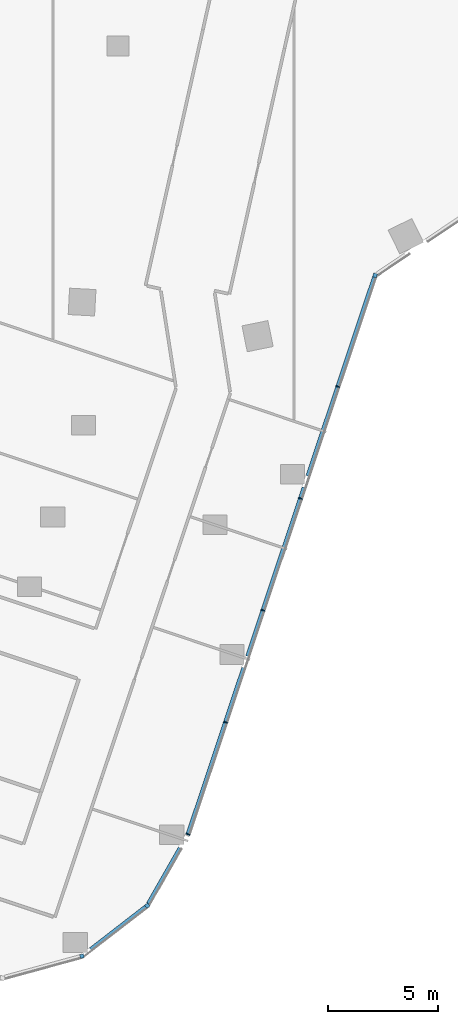
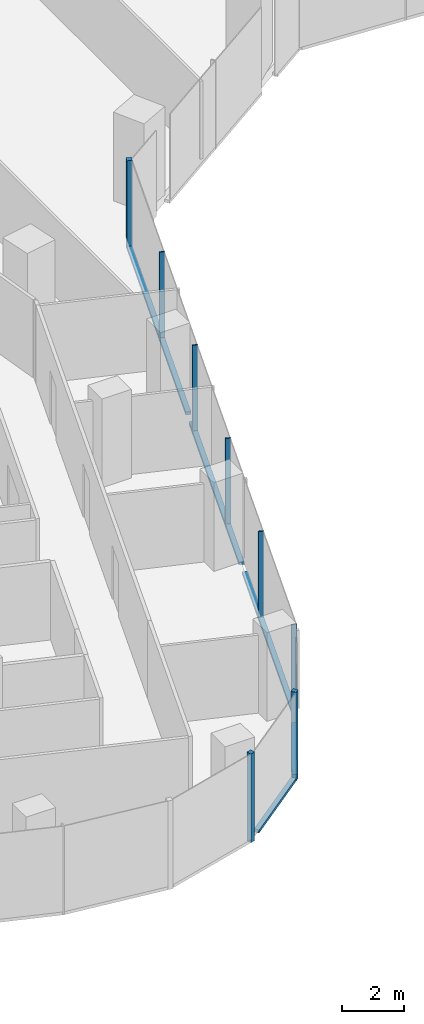
# One storey, part 5 of 26: 13 members, 4 elements without a shape of their own.
"""IFC4 building model written with IfcOpenShell, lengths in metres."""

import ifcopenshell
import ifcopenshell.guid

model = None  # the IFC model being written
_history = None  # IfcOwnerHistory: only IFC2X3 demands one
_inside = {}  # id of a spatial element -> (the spatial element, [elements in it])
_under = {}  # id of a project, library or spatial element -> (it, [spatial elements below it])
_declared = {}  # id of a project -> (the project, [libraries it declares])
_typed = {}  # id of a type object -> (the type object, [elements of that type])
_made_of = {}  # id of a material, layer set ... -> (it, [elements and type objects made of it])


def new_model(schema):
    """Start an empty IFC model of exactly this schema.

    Asked for "IFC4X3", IfcOpenShell would pick the latest addendum, in which some entities
    have other attributes; the version numbers below select the first issue.
    IFC2X3 requires an IfcOwnerHistory on every rooted entity: one is made here for all.
    """
    global model, _history
    if schema == "IFC4X3":
        model = ifcopenshell.file(schema_version=(4, 3, 0, 0))
    else:
        model = ifcopenshell.file(schema=schema)
    _inside.clear()
    _under.clear()
    _declared.clear()
    _typed.clear()
    _made_of.clear()
    _history = None
    if model.schema == "IFC2X3":
        org = make("IfcOrganization", Name="unknown")
        user = make(
            "IfcPersonAndOrganization",
            ThePerson=make("IfcPerson", FamilyName="unknown"),
            TheOrganization=org,
        )
        app = make(
            "IfcApplication",
            ApplicationDeveloper=org,
            Version="unknown",
            ApplicationFullName="unknown",
            ApplicationIdentifier="unknown",
        )
        _history = make(
            "IfcOwnerHistory",
            OwningUser=user,
            OwningApplication=app,
            ChangeAction="ADDED",
            CreationDate=0,
        )
    return model


def make(cls, **values):
    """One entity of the class cls with the attributes given. An attribute that is None is left unset."""
    return model.create_entity(
        cls, **{name: value for name, value in values.items() if value is not None}
    )


def rooted(cls, **values):
    """An entity with a GlobalId (a new one), such as an element, a storey or a relation."""
    return make(cls, GlobalId=ifcopenshell.guid.new(), OwnerHistory=_history, **values)


def si_unit(unit_type, name, prefix=None):
    """IfcSIUnit, for example si_unit("LENGTHUNIT", "METRE", prefix="MILLI")."""
    return make("IfcSIUnit", UnitType=unit_type, Prefix=prefix, Name=name)


def assignment(units):
    """IfcUnitAssignment: the units of a project."""
    return None if units is None else make("IfcUnitAssignment", Units=units)


def point(xyz):
    """IfcCartesianPoint."""
    return None if xyz is None else make("IfcCartesianPoint", Coordinates=xyz)


def direction(xyz):
    """IfcDirection."""
    return None if xyz is None else make("IfcDirection", DirectionRatios=xyz)


def frame(location, z_axis=None, x_axis=None):
    """IfcAxis2Placement3D, a coordinate frame: its origin and axes. An axis left out is left unset."""
    return make(
        "IfcAxis2Placement3D",
        Location=point(location),
        Axis=direction(z_axis),
        RefDirection=direction(x_axis),
    )


def frame_2d(location, x_axis=None):
    """IfcAxis2Placement2D, a coordinate frame in the plane: its origin and x axis."""
    return make(
        "IfcAxis2Placement2D", Location=point(location), RefDirection=direction(x_axis)
    )


def origin():
    """The frame at (0, 0, 0) with its axes left unset."""
    return frame((0.0, 0.0, 0.0))


def origin_2d():
    """The frame at (0, 0) in the plane with its x axis left unset."""
    return frame_2d((0.0, 0.0))


def place(relative_to, where):
    """IfcLocalPlacement: puts the frame where relative to a parent placement (None: the world)."""
    return make(
        "IfcLocalPlacement", PlacementRelTo=relative_to, RelativePlacement=where
    )


def context(
    kind, dimensions, precision=None, world=None, true_north=None, identifier=None
):
    """IfcGeometricRepresentationContext, for example the 3D "Model" context."""
    return make(
        "IfcGeometricRepresentationContext",
        ContextIdentifier=identifier,
        ContextType=kind,
        CoordinateSpaceDimension=dimensions,
        Precision=precision,
        WorldCoordinateSystem=world,
        TrueNorth=true_north,
    )


def subcontext(parent, identifier, kind, view, scale=None):
    """IfcGeometricRepresentationSubContext, for example "Body" below "Model"."""
    return make(
        "IfcGeometricRepresentationSubContext",
        ContextIdentifier=identifier,
        ContextType=kind,
        ParentContext=parent,
        TargetScale=scale,
        TargetView=view,
    )


def project(units=None, contexts=None):
    """IfcProject with its units and contexts."""
    return rooted(
        "IfcProject",
        Name="project",
        RepresentationContexts=contexts,
        UnitsInContext=assignment(units),
    )


def spatial(cls, under=None, at=None, **own):
    """A site, building, storey or space (cls), placed at a placement, below another one or the project."""
    s = rooted(cls, ObjectPlacement=at, **own)
    if under is not None:
        _under.setdefault(under.id(), (under, []))[1].append(s)
    return s


def profile(cls, at=None, kind="AREA", **sizes):
    """A parametric profile (cls). Its sizes go by their IFC names, for example OverallWidth=200.0."""
    return make(cls, ProfileType=kind, Position=at, **sizes)


def rectangle(**sizes):
    """IfcRectangleProfileDef."""
    return profile("IfcRectangleProfileDef", **sizes)


def extrude(swept, where, along, depth):
    """IfcExtrudedAreaSolid: the profile swept, set in the frame where, extruded along a direction by depth."""
    return make(
        "IfcExtrudedAreaSolid",
        SweptArea=swept,
        Position=where,
        ExtrudedDirection=direction(along),
        Depth=depth,
    )


def shape(context_of_items, identifier, shape_type, items):
    """IfcShapeRepresentation: the items that make up one representation, for example the "Body"."""
    return make(
        "IfcShapeRepresentation",
        ContextOfItems=context_of_items,
        RepresentationIdentifier=identifier,
        RepresentationType=shape_type,
        Items=items,
    )


def material(Name=None, Category=None):
    """IfcMaterial."""
    return make("IfcMaterial", Name=Name, Category=Category)


def material_profile(
    of_material, cross_section, Name=None, Category=None, Priority=None
):
    """IfcMaterialProfile: a cross section and its material."""
    return make(
        "IfcMaterialProfile",
        Name=Name,
        Material=of_material,
        Profile=cross_section,
        Priority=Priority,
        Category=Category,
    )


def profile_set(profiles, Name=None, composite=None):
    """IfcMaterialProfileSet."""
    return make(
        "IfcMaterialProfileSet",
        Name=Name,
        MaterialProfiles=profiles,
        CompositeProfile=composite,
    )


def made_of(thing, what):
    """Note that an element or type object is made of a material, layer set ...; save() writes the relation."""
    if what is not None:
        _made_of.setdefault(what.id(), (what, []))[1].append(thing)
    return thing


def type_object(cls, material=None, **own):
    """A type object (cls), such as IfcWallType, which elements share."""
    return made_of(rooted(cls, **own), material)


def element(
    cls,
    number,
    at=None,
    inside=None,
    cuts=None,
    type_object=None,
    material=None,
    context=None,
    identifier="Body",
    shape_type=None,
    held_by="IfcProductDefinitionShape",
    body=None,
    shapes=None,
    **own,
):
    """One element of the class cls, such as IfcWall. Its Tag is "e" and its number.

    at: its placement. inside: the storey or other place that contains it. cuts: it is an
    opening in that element (IfcRelVoidsElement). A single representation is given by context,
    identifier, shape_type and body (its items); several are given by shapes. held_by: the class
    of the entity that holds the representations. save() writes the other relations.
    """
    e = rooted(cls, Tag="e%d" % number, ObjectPlacement=at, **own)
    if body is not None:
        shapes = [shape(context, identifier, shape_type, body)]
    if shapes is not None:
        e.Representation = make(held_by, Representations=shapes)
    if inside is not None:
        _inside.setdefault(inside.id(), (inside, []))[1].append(e)
    if cuts is not None:
        rooted(
            "IfcRelVoidsElement", RelatingBuildingElement=cuts, RelatedOpeningElement=e
        )
    if type_object is not None:
        _typed.setdefault(type_object.id(), (type_object, []))[1].append(e)
    return made_of(e, material)


def aggregate(whole, parts):
    """IfcRelAggregates: a whole, such as a stair, and the parts it consists of."""
    return rooted("IfcRelAggregates", RelatingObject=whole, RelatedObjects=parts)


def save(model, path):
    """Write the relations noted so far, then the file.

    IfcRelAggregates (storeys below a building ...), IfcRelContainedInSpatialStructure (elements
    in a storey), IfcRelDefinesByType, IfcRelAssociatesMaterial and IfcRelDeclares: one each for
    every whole, place, type object, material and project.
    """
    for whole, parts in _under.values():
        aggregate(whole, parts)
    for where, things in _inside.values():
        rooted(
            "IfcRelContainedInSpatialStructure",
            RelatedElements=things,
            RelatingStructure=where,
        )
    for kind, things in _typed.values():
        rooted("IfcRelDefinesByType", RelatedObjects=things, RelatingType=kind)
    for what, things in _made_of.values():
        rooted("IfcRelAssociatesMaterial", RelatedObjects=things, RelatingMaterial=what)
    for by, libraries in _declared.values():
        rooted("IfcRelDeclares", RelatingContext=by, RelatedDefinitions=libraries)
    model.write(path)


model = new_model("IFC4")

# Units and contexts
model_context = context("Model", 3, precision=1e-05, world=origin(), true_north=direction((0.0, 1.0)))
body_context = subcontext(model_context, "Body", "Model", "MODEL_VIEW")
ifc_project = project(units=[si_unit("LENGTHUNIT", "METRE"), si_unit("AREAUNIT", "SQUARE_METRE"), si_unit("VOLUMEUNIT", "CUBIC_METRE"), si_unit("PLANEANGLEUNIT", "RADIAN"), si_unit("MASSUNIT", "GRAM", prefix="KILO")], contexts=[model_context])

# Site, building, storey
site_placement = place(None, origin())
site = spatial("IfcSite", under=ifc_project, at=site_placement, CompositionType="ELEMENT")
building_placement = place(site_placement, origin())
building = spatial("IfcBuilding", under=site, at=building_placement, Name="Orlundy Tower", CompositionType="ELEMENT")
storey_placement = place(building_placement, frame((0.0, 0.0, 156.10009765625)))
storey = spatial("IfcBuildingStorey", under=building, at=storey_placement, Name="L40", CompositionType="ELEMENT", Elevation=156.10009765625)

# Curtain wall, member
ifc_material_1 = material(Name="Aluminium bronze anodised", Category="aluminium")
curtain_wall_type = type_object("IfcCurtainWallType", Name="CW1 wall", PredefinedType="NOTDEFINED", material=ifc_material_1)
curtain_wall_1_placement = place(storey_placement, origin())
curtain_wall_1 = element("IfcCurtainWall", 1, at=curtain_wall_1_placement, inside=storey, type_object=curtain_wall_type, Name="CW1 run 018", PredefinedType="NOTDEFINED")
ifc_material_2 = material(Name="Aluminium bronze anodised", Category="aluminium")
ifc_material_profile_1 = material_profile(ifc_material_2, rectangle(XDim=0.179931640625, YDim=0.179931640625, at=origin_2d()), Name="CW1 corner post 180x180")
ifc_profile_set_1 = profile_set([ifc_material_profile_1], Name="Aluminium bronze anodised")
member_type_1 = type_object("IfcMemberType", Name="CW1 corner post 180x180", PredefinedType="MULLION", material=ifc_profile_set_1)
member_1_placement = place(storey_placement, frame((11.675537109375, -28.41943359375, -0.400146484375), z_axis=(0.0, 0.0, 1.0), x_axis=(0.948320522025, -0.317314020344, 0.0)))
member_1 = element("IfcMember", 2, at=member_1_placement, type_object=member_type_1, Name="CW1 mullion 44", PredefinedType="MULLION", context=body_context, shape_type="SweptSolid", body=[
    extrude(rectangle(XDim=0.179931640625, YDim=0.179931640625, at=origin_2d()), origin(), (0.0, 0.0, 1.0), 3.5),
])

curtain_wall_2_placement = place(storey_placement, origin())
curtain_wall_2 = element("IfcCurtainWall", 3, at=curtain_wall_2_placement, inside=storey, type_object=curtain_wall_type, Name="CW1 run 020", PredefinedType="NOTDEFINED")
member_2_placement = place(storey_placement, frame((1.331298828125, -57.040283203125, -0.400146484375), z_axis=(0.0, 0.0, 1.0), x_axis=(0.61231463548, -0.790614183516, 0.0)))
member_2 = element("IfcMember", 4, at=member_2_placement, type_object=member_type_1, Name="CW1 mullion 50", PredefinedType="MULLION", context=body_context, shape_type="SweptSolid", body=[
    extrude(rectangle(XDim=0.179931640625, YDim=0.179931640625, at=origin_2d()), origin(), (0.0, 0.0, 1.0), 3.5),
])

curtain_wall_3_placement = place(storey_placement, origin())
curtain_wall_3 = element("IfcCurtainWall", 5, at=curtain_wall_3_placement, inside=storey, type_object=curtain_wall_type, Name="CW1 run 021", PredefinedType="NOTDEFINED")
member_3_placement = place(storey_placement, frame((-1.6279296875, -59.33203125, -0.400146484375), z_axis=(0.0, 0.0, 1.0), x_axis=(0.263048919026, -0.964782496835, 0.0)))
member_3 = element("IfcMember", 6, at=member_3_placement, type_object=member_type_1, Name="CW1 mullion 51", PredefinedType="MULLION", context=body_context, shape_type="SweptSolid", body=[
    extrude(rectangle(XDim=0.179931640625, YDim=0.179931640625, at=origin_2d()), origin(), (0.0, 0.0, 1.0), 3.5),
])
aggregate(curtain_wall_3, [member_3])

# Member
ifc_material_3 = material(Name="Aluminium bronze anodised", Category="aluminium")
ifc_material_profile_2 = material_profile(ifc_material_3, rectangle(XDim=0.179931640625, YDim=0.050048828125, at=origin_2d()), Name="CW1 mullion 50x180")
ifc_profile_set_2 = profile_set([ifc_material_profile_2], Name="Aluminium bronze anodised")
member_type_2 = type_object("IfcMemberType", Name="CW1 mullion 50x180", PredefinedType="MULLION", material=ifc_profile_set_2)
member_4_placement = place(storey_placement, frame((9.985595703125, -33.470458984375, -0.400146484375), z_axis=(0.0, 0.0, 1.0), x_axis=(0.948320522025, -0.317314020344, 0.0)))
member_4 = element("IfcMember", 7, at=member_4_placement, type_object=member_type_2, Name="CW1 mullion 45", PredefinedType="MULLION", context=body_context, shape_type="SweptSolid", body=[
    extrude(rectangle(XDim=0.179931640625, YDim=0.050048828125, at=origin_2d()), origin(), (0.0, 0.0, 1.0), 3.5),
])

member_5_placement = place(storey_placement, frame((8.28564453125, -38.550537109375, -0.400146484375), z_axis=(0.0, 0.0, 1.0), x_axis=(0.948320522025, -0.317314020344, 0.0)))
member_5 = element("IfcMember", 8, at=member_5_placement, type_object=member_type_2, Name="CW1 mullion 46", PredefinedType="MULLION", context=body_context, shape_type="SweptSolid", body=[
    extrude(rectangle(XDim=0.179931640625, YDim=0.050048828125, at=origin_2d()), origin(), (0.0, 0.0, 1.0), 3.5),
])

member_6_placement = place(storey_placement, frame((6.5859375, -43.630615234375, -0.400146484375), z_axis=(0.0, 0.0, 1.0), x_axis=(0.948320522025, -0.317314020344, 0.0)))
member_6 = element("IfcMember", 9, at=member_6_placement, type_object=member_type_2, Name="CW1 mullion 47", PredefinedType="MULLION", context=body_context, shape_type="SweptSolid", body=[
    extrude(rectangle(XDim=0.179931640625, YDim=0.050048828125, at=origin_2d()), origin(), (0.0, 0.0, 1.0), 3.5),
])

member_7_placement = place(storey_placement, frame((4.88623046875, -48.71044921875, -0.400146484375), z_axis=(0.0, 0.0, 1.0), x_axis=(0.948320522025, -0.317314020344, 0.0)))
member_7 = element("IfcMember", 10, at=member_7_placement, type_object=member_type_2, Name="CW1 mullion 48", PredefinedType="MULLION", context=body_context, shape_type="SweptSolid", body=[
    extrude(rectangle(XDim=0.179931640625, YDim=0.050048828125, at=origin_2d()), origin(), (0.0, 0.0, 1.0), 3.5),
])

# Curtain wall, member
curtain_wall_4_placement = place(storey_placement, origin())
curtain_wall_4 = element("IfcCurtainWall", 11, at=curtain_wall_4_placement, inside=storey, type_object=curtain_wall_type, Name="CW1 run 019", PredefinedType="NOTDEFINED")
member_8_placement = place(storey_placement, frame((3.18359375, -53.799072265625, -0.400146484375), z_axis=(0.0, 0.0, 1.0), x_axis=(0.912665322896, -0.408707729781, 0.0)))
member_8 = element("IfcMember", 12, at=member_8_placement, type_object=member_type_2, Name="CW1 mullion 49", PredefinedType="MULLION", context=body_context, shape_type="SweptSolid", body=[
    extrude(rectangle(XDim=0.179931640625, YDim=0.050048828125, at=origin_2d()), origin(), (0.0, 0.0, 1.0), 3.5),
])

# Member
ifc_material_4 = material(Name="Aluminium bronze anodised", Category="aluminium")
ifc_material_profile_3 = material_profile(ifc_material_4, rectangle(XDim=0.179931640625, YDim=0.1201171875, at=origin_2d()), Name="CW1 transom 180x120")
ifc_profile_set_3 = profile_set([ifc_material_profile_3], Name="Aluminium bronze anodised")
member_type_3 = type_object("IfcMemberType", Name="CW1 transom 180x120", PredefinedType="USERDEFINED", material=ifc_profile_set_3)
member_9_placement = place(storey_placement, frame((11.647216796875, -28.5048828125, -0.340087890625), z_axis=(-0.317327622506, -0.948315970547, 0.0), x_axis=(0.948315970547, -0.317327622506, 0.0)))
member_9 = element("IfcMember", 13, at=member_9_placement, type_object=member_type_3, Name="CW1 transom", ObjectType="TRANSOM", PredefinedType="USERDEFINED", context=body_context, shape_type="SweptSolid", body=[
    extrude(rectangle(XDim=0.179931640625, YDim=0.1201171875, at=origin_2d()), origin(), (0.0, 0.0, 1.0), 9.52099609375),
])

member_10_placement = place(storey_placement, frame((8.453125, -38.050048828125, -0.340087890625), z_axis=(-0.317305270862, -0.948323449611, 0.0), x_axis=(0.948323449611, -0.317305270862, 0.0)))
member_10 = element("IfcMember", 14, at=member_10_placement, type_object=member_type_3, Name="CW1 transom", ObjectType="TRANSOM", PredefinedType="USERDEFINED", context=body_context, shape_type="SweptSolid", body=[
    extrude(rectangle(XDim=0.179931640625, YDim=0.1201171875, at=origin_2d()), origin(), (0.0, 0.0, 1.0), 8.08740234375),
])

member_11_placement = place(storey_placement, frame((5.71337890625, -46.238037109375, -0.340087890625), z_axis=(-0.317314968724, -0.94832020469, 0.0), x_axis=(0.94832020469, -0.317314968724, 0.0)))
member_11 = element("IfcMember", 15, at=member_11_placement, type_object=member_type_3, Name="CW1 transom", ObjectType="TRANSOM", PredefinedType="USERDEFINED", context=body_context, shape_type="SweptSolid", body=[
    extrude(rectangle(XDim=0.179931640625, YDim=0.1201171875, at=origin_2d()), origin(), (0.0, 0.0, 1.0), 7.94775390625),
])

aggregate(curtain_wall_1, [member_1, member_4, member_5, member_6, member_7, member_9, member_10, member_11])

member_12_placement = place(storey_placement, frame((2.826904296875, -54.423095703125, -0.340087890625), z_axis=(-0.496174993415, -0.868222538241, 0.0), x_axis=(0.868222538241, -0.496174993415, 0.0)))
member_12 = element("IfcMember", 16, at=member_12_placement, type_object=member_type_3, Name="CW1 transom", ObjectType="TRANSOM", PredefinedType="USERDEFINED", context=body_context, shape_type="SweptSolid", body=[
    extrude(rectangle(XDim=0.179931640625, YDim=0.1201171875, at=origin_2d()), origin(), (0.0, 0.0, 1.0), 2.916748046875),
])

aggregate(curtain_wall_4, [member_8, member_12])

member_13_placement = place(storey_placement, frame((1.260009765625, -57.09521484375, -0.340087890625), z_axis=(-0.790590921705, -0.612344669706, 0.0), x_axis=(0.612344669706, -0.790590921705, 0.0)))
member_13 = element("IfcMember", 17, at=member_13_placement, type_object=member_type_3, Name="CW1 transom", ObjectType="TRANSOM", PredefinedType="USERDEFINED", context=body_context, shape_type="SweptSolid", body=[
    extrude(rectangle(XDim=0.179931640625, YDim=0.1201171875, at=origin_2d()), origin(), (0.0, 0.0, 1.0), 3.158447265625),
])

aggregate(curtain_wall_2, [member_2, member_13])

save(model, "model.ifc")
